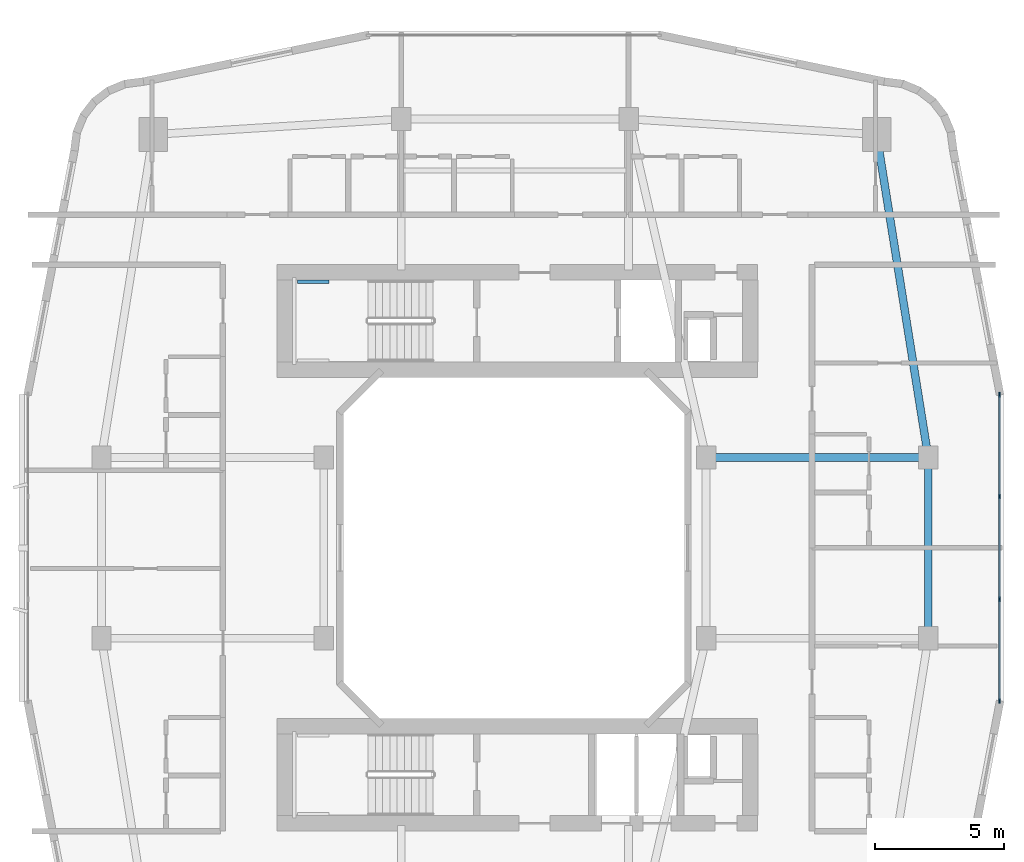
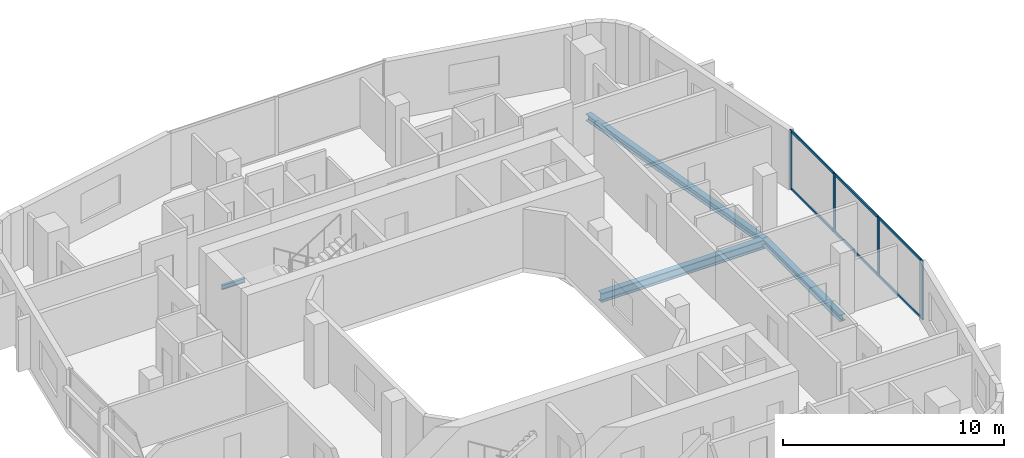
# One storey, part 10 of 27: 10 members, 4 beams, 1 element without a shape of its own.
"""IFC4 building model written with IfcOpenShell, lengths in metres."""

from ifc_helpers import new_model, si_unit, derived_unit, direction, frame, origin, origin_2d, place, context, subcontext, project, spatial, rectangle, i_section, extrude, material, layer, layer_set, material_profile, profile_set, type_object, element, aggregate, save


model = new_model("IFC4")

# Units and contexts
model_context = context("Model", 3, precision=1e-05, world=origin(), true_north=direction((0.0, 1.0)))
body_context = subcontext(model_context, "Body", "Model", "MODEL_VIEW")
ifc_project = project(units=[si_unit("LENGTHUNIT", "METRE"), si_unit("AREAUNIT", "SQUARE_METRE"), si_unit("VOLUMEUNIT", "CUBIC_METRE"), si_unit("PLANEANGLEUNIT", "RADIAN"), si_unit("MASSUNIT", "GRAM", prefix="KILO"), derived_unit("THERMALTRANSMITTANCEUNIT", [(si_unit("POWERUNIT", "WATT"), 1), (si_unit("LENGTHUNIT", "METRE"), -2), (si_unit("THERMODYNAMICTEMPERATUREUNIT", "KELVIN"), -1)])], contexts=[model_context])

# Site, building, storey
site_placement = place(None, origin())
site = spatial("IfcSite", under=ifc_project, at=site_placement, CompositionType="ELEMENT")
building_placement = place(site_placement, origin())
building = spatial("IfcBuilding", under=site, at=building_placement, Name="Kivonza Crest Hotel", CompositionType="ELEMENT")
storey_placement = place(building_placement, frame((0.0, 0.0, 31.0)))
storey = spatial("IfcBuildingStorey", under=building, at=storey_placement, Name="L07", CompositionType="ELEMENT", Elevation=31.0)

# Beams
ifc_material_1 = material(Name="Steel S355", Category="steel")
ifc_material_profile_1 = material_profile(ifc_material_1, i_section(OverallWidth=0.300048828125, OverallDepth=0.360107421875, WebThickness=0.012451171875, FlangeThickness=0.0224609375, FilletRadius=0.027099609375, at=origin_2d()), Name="HEB 360")
ifc_profile_set_1 = profile_set([ifc_material_profile_1], Name="Steel S355")
beam_type_1 = type_object("IfcBeamType", Name="BM-HEB360", PredefinedType="SPANDREL", material=ifc_profile_set_1)
beam_1_placement = place(storey_placement, frame((93.0, 21.5, -0.429931640625), z_axis=(0.0, 1.0, 0.0), x_axis=(-1.0, 0.0, 0.0)))
element("IfcBeam", 1, at=beam_1_placement, inside=storey, type_object=beam_type_1, Name="Companion Tower T2 L07 perimeter spandrel E1-E2", PredefinedType="SPANDREL", context=body_context, shape_type="SweptSolid", body=[
    extrude(i_section(OverallWidth=0.300048828125, OverallDepth=0.360107421875, WebThickness=0.012451171875, FlangeThickness=0.0224609375, FilletRadius=0.027099609375, at=origin_2d()), origin(), (0.0, 0.0, 1.0), 7.0),
])
beam_2_placement = place(storey_placement, frame((93.0, 28.5, -0.429931640625), z_axis=(-0.157990501107, 0.987440631917, 0.0), x_axis=(-0.987440631917, -0.157990501107, 0.0)))
element("IfcBeam", 2, at=beam_2_placement, inside=storey, type_object=beam_type_1, Name="Companion Tower T2 L07 perimeter spandrel E2-NE", PredefinedType="SPANDREL", context=body_context, shape_type="SweptSolid", body=[
    extrude(i_section(OverallWidth=0.300048828125, OverallDepth=0.360107421875, WebThickness=0.012451171875, FlangeThickness=0.0224609375, FilletRadius=0.027099609375, at=origin_2d()), origin(), (0.0, 0.0, 1.0), 12.658935546875),
])
ifc_material_profile_2 = material_profile(ifc_material_1, i_section(OverallWidth=0.300048828125, OverallDepth=0.5, WebThickness=0.014404296875, FlangeThickness=0.028076171875, FilletRadius=0.027099609375, at=origin_2d()), Name="HEB 500")
ifc_profile_set_2 = profile_set([ifc_material_profile_2], Name="Steel S355")
beam_type_2 = type_object("IfcBeamType", Name="BM-HEB500", PredefinedType="BEAM", material=ifc_profile_set_2)
beam_3_placement = place(storey_placement, frame((84.39990234375, 28.5, -0.5), z_axis=(1.0, 0.0, 0.0), x_axis=(0.0, 1.0, 0.0)))
element("IfcBeam", 3, at=beam_3_placement, inside=storey, type_object=beam_type_2, Name="Companion Tower T2 L07 girder WR2-E2", PredefinedType="BEAM", context=body_context, shape_type="SweptSolid", body=[
    extrude(i_section(OverallWidth=0.300048828125, OverallDepth=0.5, WebThickness=0.014404296875, FlangeThickness=0.028076171875, FilletRadius=0.027099609375, at=origin_2d()), origin(), (0.0, 0.0, 1.0), 8.60009765625),
])
ifc_material_profile_3 = material_profile(ifc_material_1, i_section(OverallWidth=0.1201171875, OverallDepth=0.239990234375, WebThickness=0.006103515625, FlangeThickness=0.009765625, FilletRadius=0.014892578125, at=origin_2d()), Name="IPE 240")
ifc_profile_set_3 = profile_set([ifc_material_profile_3], Name="Steel S355")
beam_type_3 = type_object("IfcBeamType", Name="BM-LLDG-240", PredefinedType="BEAM", material=ifc_profile_set_3)
beam_4_placement = place(storey_placement, frame((68.590087890625, 35.300048828125, 1.429931640625), z_axis=(1.0, 0.0, 0.0), x_axis=(0.0, 1.0, 0.0)))
element("IfcBeam", 4, at=beam_4_placement, inside=storey, type_object=beam_type_3, Name="Stair ST-T2-N L07 North landing corbel", PredefinedType="BEAM", context=body_context, shape_type="SweptSolid", body=[
    extrude(i_section(OverallWidth=0.1201171875, OverallDepth=0.239990234375, WebThickness=0.006103515625, FlangeThickness=0.009765625, FilletRadius=0.014892578125, at=origin_2d()), origin(), (0.0, 0.0, 1.0), 1.2099609375),
])

# Curtain wall, members
ifc_material_2 = material(Name="Anodised bronze aluminium and low-E double glazing", Category="aluminium")
ifc_layer = layer(ifc_material_2, 0.179931640625)
ifc_layer_set = layer_set([ifc_layer], Name="Anodised bronze aluminium and low-E double glazing")
curtain_wall_type = type_object("IfcCurtainWallType", Name="CW-SYS-4", PredefinedType="NOTDEFINED", material=ifc_layer_set)
curtain_wall_placement = place(storey_placement, origin())
curtain_wall = element("IfcCurtainWall", 5, at=curtain_wall_placement, inside=storey, type_object=curtain_wall_type, Name="L07 unitised curtain wall CW-T2-L07-17", PredefinedType="NOTDEFINED")
ifc_material_3 = material(Name="Anodised bronze aluminium", Category="aluminium")
ifc_material_profile_4 = material_profile(ifc_material_3, rectangle(XDim=0.06494140625, YDim=0.179931640625, at=origin_2d()), Name="CW-M 65x180")
ifc_profile_set_4 = profile_set([ifc_material_profile_4], Name="Anodised bronze aluminium")
member_type_1 = type_object("IfcMemberType", Name="CW-MUL-65x180", PredefinedType="MULLION", material=ifc_profile_set_4)
member_1_placement = place(storey_placement, frame((95.760009765625, 19.072509765625, 0.0), z_axis=(0.0, 0.0, 1.0), x_axis=(-1.0, 0.0, 0.0)))
member_1 = element("IfcMember", 6, at=member_1_placement, type_object=member_type_1, Name="CW-4 mullion 1", PredefinedType="MULLION", context=body_context, shape_type="SweptSolid", body=[
    extrude(rectangle(XDim=0.06494140625, YDim=0.179931640625, at=origin_2d()), origin(), (0.0, 0.0, 1.0), 3.25),
])
member_2_placement = place(storey_placement, frame((95.760009765625, 23.013427734375, 0.0), z_axis=(0.0, 0.0, 1.0), x_axis=(-1.0, 0.0, 0.0)))
member_2 = element("IfcMember", 7, at=member_2_placement, type_object=member_type_1, Name="CW-4 mullion 2", PredefinedType="MULLION", context=body_context, shape_type="SweptSolid", body=[
    extrude(rectangle(XDim=0.06494140625, YDim=0.179931640625, at=origin_2d()), origin(), (0.0, 0.0, 1.0), 3.25),
])
member_3_placement = place(storey_placement, frame((95.760009765625, 26.986572265625, 0.0), z_axis=(0.0, 0.0, 1.0), x_axis=(-1.0, 0.0, 0.0)))
member_3 = element("IfcMember", 8, at=member_3_placement, type_object=member_type_1, Name="CW-4 mullion 3", PredefinedType="MULLION", context=body_context, shape_type="SweptSolid", body=[
    extrude(rectangle(XDim=0.06494140625, YDim=0.179931640625, at=origin_2d()), origin(), (0.0, 0.0, 1.0), 3.25),
])
member_4_placement = place(storey_placement, frame((95.760009765625, 30.927490234375, 0.0), z_axis=(0.0, 0.0, 1.0), x_axis=(-1.0, 0.0, 0.0)))
member_4 = element("IfcMember", 9, at=member_4_placement, type_object=member_type_1, Name="CW-4 mullion 4", PredefinedType="MULLION", context=body_context, shape_type="SweptSolid", body=[
    extrude(rectangle(XDim=0.06494140625, YDim=0.179931640625, at=origin_2d()), origin(), (0.0, 0.0, 1.0), 3.25),
])
ifc_material_profile_5 = material_profile(ifc_material_3, rectangle(XDim=0.06494140625, YDim=0.139892578125, at=origin_2d()), Name="CW-T 65x140")
ifc_profile_set_5 = profile_set([ifc_material_profile_5], Name="Anodised bronze aluminium")
member_type_2 = type_object("IfcMemberType", Name="CW-TRN-65x140", PredefinedType="USERDEFINED", material=ifc_profile_set_5)
member_5_placement = place(storey_placement, frame((95.760009765625, 19.10498046875, 0.032470703125), z_axis=(0.0, 1.0, 0.0), x_axis=(-1.0, 0.0, 0.0)))
member_5 = element("IfcMember", 10, at=member_5_placement, type_object=member_type_2, Name="CW-4 transom 1.1", ObjectType="TRANSOM", PredefinedType="USERDEFINED", context=body_context, shape_type="SweptSolid", body=[
    extrude(rectangle(XDim=0.06494140625, YDim=0.139892578125, at=origin_2d()), origin(), (0.0, 0.0, 1.0), 3.875732421875),
])
member_6_placement = place(storey_placement, frame((95.760009765625, 19.10498046875, 3.217529296875), z_axis=(0.0, 1.0, 0.0), x_axis=(-1.0, 0.0, 0.0)))
member_6 = element("IfcMember", 11, at=member_6_placement, type_object=member_type_2, Name="CW-4 transom 1.2", ObjectType="TRANSOM", PredefinedType="USERDEFINED", context=body_context, shape_type="SweptSolid", body=[
    extrude(rectangle(XDim=0.06494140625, YDim=0.139892578125, at=origin_2d()), origin(), (0.0, 0.0, 1.0), 3.875732421875),
])
member_7_placement = place(storey_placement, frame((95.760009765625, 23.0458984375, 0.032470703125), z_axis=(0.0, 1.0, 0.0), x_axis=(-1.0, 0.0, 0.0)))
member_7 = element("IfcMember", 12, at=member_7_placement, type_object=member_type_2, Name="CW-4 transom 2.1", ObjectType="TRANSOM", PredefinedType="USERDEFINED", context=body_context, shape_type="SweptSolid", body=[
    extrude(rectangle(XDim=0.06494140625, YDim=0.139892578125, at=origin_2d()), origin(), (0.0, 0.0, 1.0), 3.908203125),
])
member_8_placement = place(storey_placement, frame((95.760009765625, 23.0458984375, 3.217529296875), z_axis=(0.0, 1.0, 0.0), x_axis=(-1.0, 0.0, 0.0)))
member_8 = element("IfcMember", 13, at=member_8_placement, type_object=member_type_2, Name="CW-4 transom 2.2", ObjectType="TRANSOM", PredefinedType="USERDEFINED", context=body_context, shape_type="SweptSolid", body=[
    extrude(rectangle(XDim=0.06494140625, YDim=0.139892578125, at=origin_2d()), origin(), (0.0, 0.0, 1.0), 3.908203125),
])
member_9_placement = place(storey_placement, frame((95.760009765625, 27.019287109375, 0.032470703125), z_axis=(0.0, 1.0, 0.0), x_axis=(-1.0, 0.0, 0.0)))
member_9 = element("IfcMember", 14, at=member_9_placement, type_object=member_type_2, Name="CW-4 transom 3.1", ObjectType="TRANSOM", PredefinedType="USERDEFINED", context=body_context, shape_type="SweptSolid", body=[
    extrude(rectangle(XDim=0.06494140625, YDim=0.139892578125, at=origin_2d()), origin(), (0.0, 0.0, 1.0), 3.875732421875),
])
member_10_placement = place(storey_placement, frame((95.760009765625, 27.019287109375, 3.217529296875), z_axis=(0.0, 1.0, 0.0), x_axis=(-1.0, 0.0, 0.0)))
member_10 = element("IfcMember", 15, at=member_10_placement, type_object=member_type_2, Name="CW-4 transom 3.2", ObjectType="TRANSOM", PredefinedType="USERDEFINED", context=body_context, shape_type="SweptSolid", body=[
    extrude(rectangle(XDim=0.06494140625, YDim=0.139892578125, at=origin_2d()), origin(), (0.0, 0.0, 1.0), 3.875732421875),
])
aggregate(curtain_wall, [member_1, member_2, member_3, member_4, member_5, member_6, member_7, member_8, member_9, member_10])

save(model, "model.ifc")
